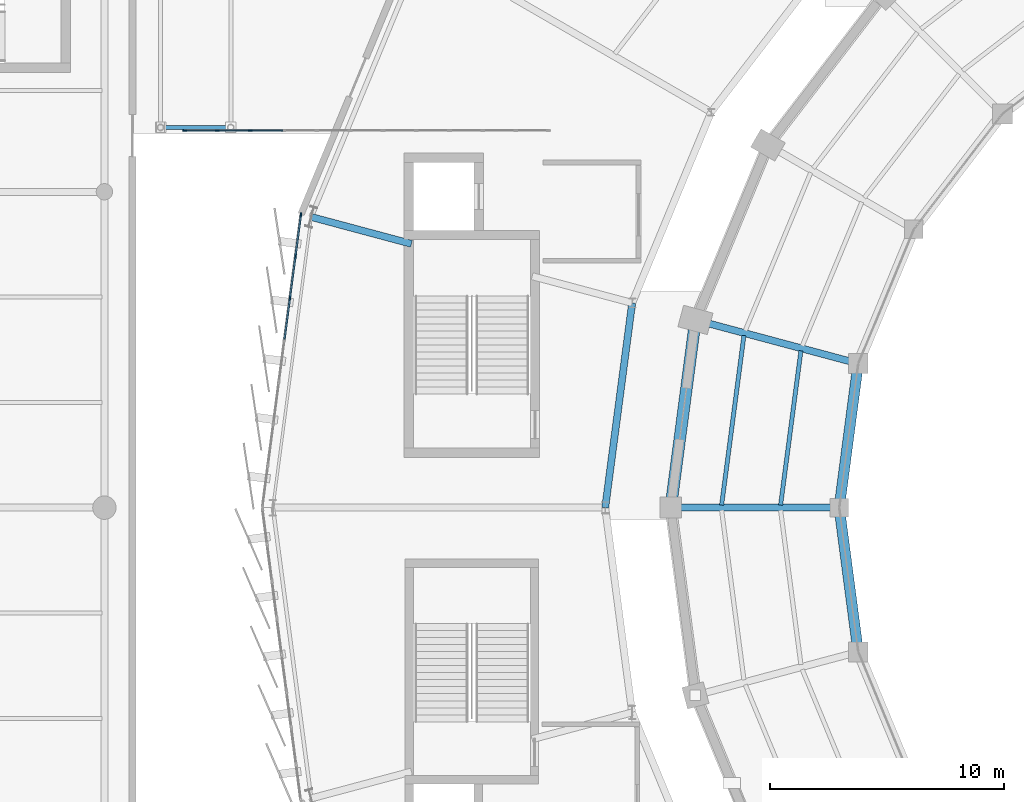
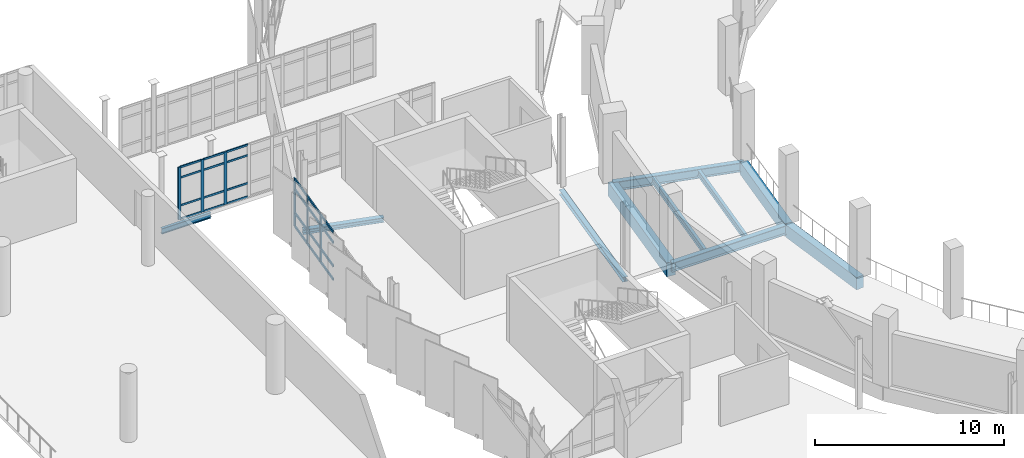
# One storey, part 49 of 125: 30 members, 10 beams, 2 elements without a shape of their own.
"""IFC4 building model written with IfcOpenShell, lengths in metres."""

import ifcopenshell
import ifcopenshell.guid

model = None  # the IFC model being written
_history = None  # IfcOwnerHistory: only IFC2X3 demands one
_inside = {}  # id of a spatial element -> (the spatial element, [elements in it])
_under = {}  # id of a project, library or spatial element -> (it, [spatial elements below it])
_declared = {}  # id of a project -> (the project, [libraries it declares])
_typed = {}  # id of a type object -> (the type object, [elements of that type])
_made_of = {}  # id of a material, layer set ... -> (it, [elements and type objects made of it])


def new_model(schema):
    """Start an empty IFC model of exactly this schema.

    Asked for "IFC4X3", IfcOpenShell would pick the latest addendum, in which some entities
    have other attributes; the version numbers below select the first issue.
    IFC2X3 requires an IfcOwnerHistory on every rooted entity: one is made here for all.
    """
    global model, _history
    if schema == "IFC4X3":
        model = ifcopenshell.file(schema_version=(4, 3, 0, 0))
    else:
        model = ifcopenshell.file(schema=schema)
    _inside.clear()
    _under.clear()
    _declared.clear()
    _typed.clear()
    _made_of.clear()
    _history = None
    if model.schema == "IFC2X3":
        org = make("IfcOrganization", Name="unknown")
        user = make(
            "IfcPersonAndOrganization",
            ThePerson=make("IfcPerson", FamilyName="unknown"),
            TheOrganization=org,
        )
        app = make(
            "IfcApplication",
            ApplicationDeveloper=org,
            Version="unknown",
            ApplicationFullName="unknown",
            ApplicationIdentifier="unknown",
        )
        _history = make(
            "IfcOwnerHistory",
            OwningUser=user,
            OwningApplication=app,
            ChangeAction="ADDED",
            CreationDate=0,
        )
    return model


def make(cls, **values):
    """One entity of the class cls with the attributes given. An attribute that is None is left unset."""
    return model.create_entity(
        cls, **{name: value for name, value in values.items() if value is not None}
    )


def rooted(cls, **values):
    """An entity with a GlobalId (a new one), such as an element, a storey or a relation."""
    return make(cls, GlobalId=ifcopenshell.guid.new(), OwnerHistory=_history, **values)


def si_unit(unit_type, name, prefix=None):
    """IfcSIUnit, for example si_unit("LENGTHUNIT", "METRE", prefix="MILLI")."""
    return make("IfcSIUnit", UnitType=unit_type, Prefix=prefix, Name=name)


def assignment(units):
    """IfcUnitAssignment: the units of a project."""
    return None if units is None else make("IfcUnitAssignment", Units=units)


def point(xyz):
    """IfcCartesianPoint."""
    return None if xyz is None else make("IfcCartesianPoint", Coordinates=xyz)


def direction(xyz):
    """IfcDirection."""
    return None if xyz is None else make("IfcDirection", DirectionRatios=xyz)


def frame(location, z_axis=None, x_axis=None):
    """IfcAxis2Placement3D, a coordinate frame: its origin and axes. An axis left out is left unset."""
    return make(
        "IfcAxis2Placement3D",
        Location=point(location),
        Axis=direction(z_axis),
        RefDirection=direction(x_axis),
    )


def frame_2d(location, x_axis=None):
    """IfcAxis2Placement2D, a coordinate frame in the plane: its origin and x axis."""
    return make(
        "IfcAxis2Placement2D", Location=point(location), RefDirection=direction(x_axis)
    )


def origin():
    """The frame at (0, 0, 0) with its axes left unset."""
    return frame((0.0, 0.0, 0.0))


def origin_2d():
    """The frame at (0, 0) in the plane with its x axis left unset."""
    return frame_2d((0.0, 0.0))


def place(relative_to, where):
    """IfcLocalPlacement: puts the frame where relative to a parent placement (None: the world)."""
    return make(
        "IfcLocalPlacement", PlacementRelTo=relative_to, RelativePlacement=where
    )


def context(
    kind, dimensions, precision=None, world=None, true_north=None, identifier=None
):
    """IfcGeometricRepresentationContext, for example the 3D "Model" context."""
    return make(
        "IfcGeometricRepresentationContext",
        ContextIdentifier=identifier,
        ContextType=kind,
        CoordinateSpaceDimension=dimensions,
        Precision=precision,
        WorldCoordinateSystem=world,
        TrueNorth=true_north,
    )


def subcontext(parent, identifier, kind, view, scale=None):
    """IfcGeometricRepresentationSubContext, for example "Body" below "Model"."""
    return make(
        "IfcGeometricRepresentationSubContext",
        ContextIdentifier=identifier,
        ContextType=kind,
        ParentContext=parent,
        TargetScale=scale,
        TargetView=view,
    )


def project(units=None, contexts=None):
    """IfcProject with its units and contexts."""
    return rooted(
        "IfcProject",
        Name="project",
        RepresentationContexts=contexts,
        UnitsInContext=assignment(units),
    )


def spatial(cls, under=None, at=None, **own):
    """A site, building, storey or space (cls), placed at a placement, below another one or the project."""
    s = rooted(cls, ObjectPlacement=at, **own)
    if under is not None:
        _under.setdefault(under.id(), (under, []))[1].append(s)
    return s


def profile(cls, at=None, kind="AREA", **sizes):
    """A parametric profile (cls). Its sizes go by their IFC names, for example OverallWidth=200.0."""
    return make(cls, ProfileType=kind, Position=at, **sizes)


def rectangle(**sizes):
    """IfcRectangleProfileDef."""
    return profile("IfcRectangleProfileDef", **sizes)


def i_section(**sizes):
    """IfcIShapeProfileDef."""
    return profile("IfcIShapeProfileDef", **sizes)


def extrude(swept, where, along, depth):
    """IfcExtrudedAreaSolid: the profile swept, set in the frame where, extruded along a direction by depth."""
    return make(
        "IfcExtrudedAreaSolid",
        SweptArea=swept,
        Position=where,
        ExtrudedDirection=direction(along),
        Depth=depth,
    )


def shape(context_of_items, identifier, shape_type, items):
    """IfcShapeRepresentation: the items that make up one representation, for example the "Body"."""
    return make(
        "IfcShapeRepresentation",
        ContextOfItems=context_of_items,
        RepresentationIdentifier=identifier,
        RepresentationType=shape_type,
        Items=items,
    )


def material(Name=None, Category=None):
    """IfcMaterial."""
    return make("IfcMaterial", Name=Name, Category=Category)


def layer(
    of_material, thickness, ventilated=None, Name=None, Category=None, Priority=None
):
    """IfcMaterialLayer: one layer of a wall or slab, of a material (None: an air gap)."""
    return make(
        "IfcMaterialLayer",
        Material=of_material,
        LayerThickness=thickness,
        IsVentilated=ventilated,
        Name=Name,
        Category=Category,
        Priority=Priority,
    )


def layer_set(layers, Name=None):
    """IfcMaterialLayerSet."""
    return make("IfcMaterialLayerSet", MaterialLayers=layers, LayerSetName=Name)


def material_profile(
    of_material, cross_section, Name=None, Category=None, Priority=None
):
    """IfcMaterialProfile: a cross section and its material."""
    return make(
        "IfcMaterialProfile",
        Name=Name,
        Material=of_material,
        Profile=cross_section,
        Priority=Priority,
        Category=Category,
    )


def profile_set(profiles, Name=None, composite=None):
    """IfcMaterialProfileSet."""
    return make(
        "IfcMaterialProfileSet",
        Name=Name,
        MaterialProfiles=profiles,
        CompositeProfile=composite,
    )


def made_of(thing, what):
    """Note that an element or type object is made of a material, layer set ...; save() writes the relation."""
    if what is not None:
        _made_of.setdefault(what.id(), (what, []))[1].append(thing)
    return thing


def type_object(cls, material=None, **own):
    """A type object (cls), such as IfcWallType, which elements share."""
    return made_of(rooted(cls, **own), material)


def element(
    cls,
    number,
    at=None,
    inside=None,
    cuts=None,
    type_object=None,
    material=None,
    context=None,
    identifier="Body",
    shape_type=None,
    held_by="IfcProductDefinitionShape",
    body=None,
    shapes=None,
    **own,
):
    """One element of the class cls, such as IfcWall. Its Tag is "e" and its number.

    at: its placement. inside: the storey or other place that contains it. cuts: it is an
    opening in that element (IfcRelVoidsElement). A single representation is given by context,
    identifier, shape_type and body (its items); several are given by shapes. held_by: the class
    of the entity that holds the representations. save() writes the other relations.
    """
    e = rooted(cls, Tag="e%d" % number, ObjectPlacement=at, **own)
    if body is not None:
        shapes = [shape(context, identifier, shape_type, body)]
    if shapes is not None:
        e.Representation = make(held_by, Representations=shapes)
    if inside is not None:
        _inside.setdefault(inside.id(), (inside, []))[1].append(e)
    if cuts is not None:
        rooted(
            "IfcRelVoidsElement", RelatingBuildingElement=cuts, RelatedOpeningElement=e
        )
    if type_object is not None:
        _typed.setdefault(type_object.id(), (type_object, []))[1].append(e)
    return made_of(e, material)


def aggregate(whole, parts):
    """IfcRelAggregates: a whole, such as a stair, and the parts it consists of."""
    return rooted("IfcRelAggregates", RelatingObject=whole, RelatedObjects=parts)


def save(model, path):
    """Write the relations noted so far, then the file.

    IfcRelAggregates (storeys below a building ...), IfcRelContainedInSpatialStructure (elements
    in a storey), IfcRelDefinesByType, IfcRelAssociatesMaterial and IfcRelDeclares: one each for
    every whole, place, type object, material and project.
    """
    for whole, parts in _under.values():
        aggregate(whole, parts)
    for where, things in _inside.values():
        rooted(
            "IfcRelContainedInSpatialStructure",
            RelatedElements=things,
            RelatingStructure=where,
        )
    for kind, things in _typed.values():
        rooted("IfcRelDefinesByType", RelatedObjects=things, RelatingType=kind)
    for what, things in _made_of.values():
        rooted("IfcRelAssociatesMaterial", RelatedObjects=things, RelatingMaterial=what)
    for by, libraries in _declared.values():
        rooted("IfcRelDeclares", RelatingContext=by, RelatedDefinitions=libraries)
    model.write(path)


model = new_model("IFC4")

# Units and contexts
model_context = context("Model", 3, precision=1e-05, world=origin(), true_north=direction((0.0, 1.0)))
body_context = subcontext(model_context, "Body", "Model", "MODEL_VIEW")
ifc_project = project(units=[si_unit("LENGTHUNIT", "METRE"), si_unit("AREAUNIT", "SQUARE_METRE"), si_unit("VOLUMEUNIT", "CUBIC_METRE"), si_unit("PLANEANGLEUNIT", "RADIAN"), si_unit("MASSUNIT", "GRAM", prefix="KILO")], contexts=[model_context])

# Site, building, storey
site_placement = place(None, origin())
site = spatial("IfcSite", under=ifc_project, at=site_placement, CompositionType="ELEMENT")
building_placement = place(site_placement, origin())
building = spatial("IfcBuilding", under=site, at=building_placement, Name="Sohan Crest Arena", CompositionType="ELEMENT")
storey_placement = place(building_placement, frame((0.0, 0.0, 9.0)))
storey = spatial("IfcBuildingStorey", under=building, at=storey_placement, Name="L02", CompositionType="ELEMENT", Elevation=9.0)

# Curtain wall, members
ifc_material_1 = material(Name="Thermally broken anodised aluminium", Category="aluminium")
ifc_layer_1 = layer(ifc_material_1, 0.2099609375, Name="Thermally broken anodised aluminium")
ifc_layer_set_1 = layer_set([ifc_layer_1], Name="Thermally broken anodised aluminium")
curtain_wall_type_1 = type_object("IfcCurtainWallType", Name="ARC-CW06", PredefinedType="NOTDEFINED", material=ifc_layer_set_1)
curtain_wall_1_placement = place(storey_placement, origin())
curtain_wall_1 = element("IfcCurtainWall", 1, at=curtain_wall_1_placement, inside=storey, type_object=curtain_wall_type_1, Name="Unitised curtain wall CW-054", PredefinedType="NOTDEFINED")
ifc_material_profile_1 = material_profile(ifc_material_1, rectangle(XDim=0.06494140625, YDim=0.179931640625, at=origin_2d()), Name="ALU-MULL 65x180")
ifc_profile_set_1 = profile_set([ifc_material_profile_1], Name="Thermally broken anodised aluminium")
member_type_1 = type_object("IfcMemberType", Name="ARC-CW-ML02", PredefinedType="MULLION", material=ifc_profile_set_1)
member_1_placement = place(storey_placement, frame((51.19677734375, 90.5078125, 0.0), z_axis=(0.0, 0.0, 1.0), x_axis=(0.991444066575, -0.130532229177, 0.0)))
member_1 = element("IfcMember", 2, at=member_1_placement, type_object=member_type_1, Name="CW-054 mullion 1", PredefinedType="MULLION", context=body_context, shape_type="SweptSolid", body=[
    extrude(rectangle(XDim=0.06494140625, YDim=0.179931640625, at=origin_2d()), origin(), (0.0, 0.0, 1.0), 3.1201171875),
])
member_2_placement = place(storey_placement, frame((50.965087890625, 88.74853515625, 0.0), z_axis=(0.0, 0.0, 1.0), x_axis=(0.991444066575, -0.130532229177, 0.0)))
member_2 = element("IfcMember", 3, at=member_2_placement, type_object=member_type_1, Name="CW-054 mullion 2", PredefinedType="MULLION", context=body_context, shape_type="SweptSolid", body=[
    extrude(rectangle(XDim=0.06494140625, YDim=0.179931640625, at=origin_2d()), origin(), (0.0, 0.0, 1.0), 3.1201171875),
])
member_3_placement = place(storey_placement, frame((50.729248046875, 86.95703125, 0.0), z_axis=(0.0, 0.0, 1.0), x_axis=(0.991444066575, -0.130532229177, 0.0)))
member_3 = element("IfcMember", 4, at=member_3_placement, type_object=member_type_1, Name="CW-054 mullion 3", PredefinedType="MULLION", context=body_context, shape_type="SweptSolid", body=[
    extrude(rectangle(XDim=0.06494140625, YDim=0.179931640625, at=origin_2d()), origin(), (0.0, 0.0, 1.0), 3.1201171875),
])

ifc_layer_2 = layer(ifc_material_1, 0.18994140625, Name="Thermally broken anodised aluminium")
ifc_layer_set_2 = layer_set([ifc_layer_2], Name="Thermally broken anodised aluminium")
curtain_wall_type_2 = type_object("IfcCurtainWallType", Name="ARC-CW05", PredefinedType="NOTDEFINED", material=ifc_layer_set_2)
curtain_wall_2_placement = place(storey_placement, origin())
curtain_wall_2 = element("IfcCurtainWall", 5, at=curtain_wall_2_placement, inside=storey, type_object=curtain_wall_type_2, Name="Unitised curtain wall CW-235", PredefinedType="NOTDEFINED")
member_4_placement = place(storey_placement, frame((46.232421875, 94.1201171875, 0.0), z_axis=(0.0, 0.0, 1.0), x_axis=(0.0, 1.0, 0.0)))
member_4 = element("IfcMember", 6, at=member_4_placement, type_object=member_type_1, Name="CW-235 mullion 1", PredefinedType="MULLION", context=body_context, shape_type="SweptSolid", body=[
    extrude(rectangle(XDim=0.06494140625, YDim=0.179931640625, at=origin_2d()), origin(), (0.0, 0.0, 1.0), 3.39990234375),
])
member_5_placement = place(storey_placement, frame((47.6181640625, 94.1201171875, 0.0), z_axis=(0.0, 0.0, 1.0), x_axis=(0.0, 1.0, 0.0)))
member_5 = element("IfcMember", 7, at=member_5_placement, type_object=member_type_1, Name="CW-235 mullion 2", PredefinedType="MULLION", context=body_context, shape_type="SweptSolid", body=[
    extrude(rectangle(XDim=0.06494140625, YDim=0.179931640625, at=origin_2d()), origin(), (0.0, 0.0, 1.0), 3.39990234375),
])
member_6_placement = place(storey_placement, frame((49.036376953125, 94.1201171875, 0.0), z_axis=(0.0, 0.0, 1.0), x_axis=(0.0, 1.0, 0.0)))
member_6 = element("IfcMember", 8, at=member_6_placement, type_object=member_type_1, Name="CW-235 mullion 3", PredefinedType="MULLION", context=body_context, shape_type="SweptSolid", body=[
    extrude(rectangle(XDim=0.06494140625, YDim=0.179931640625, at=origin_2d()), origin(), (0.0, 0.0, 1.0), 3.39990234375),
])
ifc_material_profile_2 = material_profile(ifc_material_1, rectangle(XDim=0.06005859375, YDim=0.1201171875, at=origin_2d()), Name="ALU-TRAN 60x120")
ifc_profile_set_2 = profile_set([ifc_material_profile_2], Name="Thermally broken anodised aluminium")
member_type_2 = type_object("IfcMemberType", Name="ARC-CW-TR01", PredefinedType="USERDEFINED", material=ifc_profile_set_2)
member_7_placement = place(storey_placement, frame((46.264892578125, 94.1201171875, 0.030029296875), z_axis=(1.0, 0.0, 0.0), x_axis=(0.0, 1.0, 0.0)))
member_7 = element("IfcMember", 9, at=member_7_placement, type_object=member_type_2, Name="CW-235 transom 1.1", ObjectType="TRANSOM", PredefinedType="USERDEFINED", context=body_context, shape_type="SweptSolid", body=[
    extrude(rectangle(XDim=0.06005859375, YDim=0.1201171875, at=origin_2d()), origin(), (0.0, 0.0, 1.0), 1.32080078125),
])
member_8_placement = place(storey_placement, frame((46.264892578125, 94.1201171875, 0.89990234375), z_axis=(1.0, 0.0, 0.0), x_axis=(0.0, 1.0, 0.0)))
member_8 = element("IfcMember", 10, at=member_8_placement, type_object=member_type_2, Name="CW-235 transom 1.2", ObjectType="TRANSOM", PredefinedType="USERDEFINED", context=body_context, shape_type="SweptSolid", body=[
    extrude(rectangle(XDim=0.06005859375, YDim=0.1201171875, at=origin_2d()), origin(), (0.0, 0.0, 1.0), 1.32080078125),
])
member_9_placement = place(storey_placement, frame((46.264892578125, 94.1201171875, 2.699951171875), z_axis=(1.0, 0.0, 0.0), x_axis=(0.0, 1.0, 0.0)))
member_9 = element("IfcMember", 11, at=member_9_placement, type_object=member_type_2, Name="CW-235 transom 1.3", ObjectType="TRANSOM", PredefinedType="USERDEFINED", context=body_context, shape_type="SweptSolid", body=[
    extrude(rectangle(XDim=0.06005859375, YDim=0.1201171875, at=origin_2d()), origin(), (0.0, 0.0, 1.0), 1.32080078125),
])
member_10_placement = place(storey_placement, frame((46.264892578125, 94.1201171875, 3.3701171875), z_axis=(1.0, 0.0, 0.0), x_axis=(0.0, 1.0, 0.0)))
member_10 = element("IfcMember", 12, at=member_10_placement, type_object=member_type_2, Name="CW-235 transom 1.4", ObjectType="TRANSOM", PredefinedType="USERDEFINED", context=body_context, shape_type="SweptSolid", body=[
    extrude(rectangle(XDim=0.06005859375, YDim=0.1201171875, at=origin_2d()), origin(), (0.0, 0.0, 1.0), 1.32080078125),
])
member_11_placement = place(storey_placement, frame((47.650634765625, 94.1201171875, 0.030029296875), z_axis=(1.0, 0.0, 0.0), x_axis=(0.0, 1.0, 0.0)))
member_11 = element("IfcMember", 13, at=member_11_placement, type_object=member_type_2, Name="CW-235 transom 2.1", ObjectType="TRANSOM", PredefinedType="USERDEFINED", context=body_context, shape_type="SweptSolid", body=[
    extrude(rectangle(XDim=0.06005859375, YDim=0.1201171875, at=origin_2d()), origin(), (0.0, 0.0, 1.0), 1.353271484375),
])
member_12_placement = place(storey_placement, frame((47.650634765625, 94.1201171875, 0.89990234375), z_axis=(1.0, 0.0, 0.0), x_axis=(0.0, 1.0, 0.0)))
member_12 = element("IfcMember", 14, at=member_12_placement, type_object=member_type_2, Name="CW-235 transom 2.2", ObjectType="TRANSOM", PredefinedType="USERDEFINED", context=body_context, shape_type="SweptSolid", body=[
    extrude(rectangle(XDim=0.06005859375, YDim=0.1201171875, at=origin_2d()), origin(), (0.0, 0.0, 1.0), 1.353271484375),
])
member_13_placement = place(storey_placement, frame((47.650634765625, 94.1201171875, 2.699951171875), z_axis=(1.0, 0.0, 0.0), x_axis=(0.0, 1.0, 0.0)))
member_13 = element("IfcMember", 15, at=member_13_placement, type_object=member_type_2, Name="CW-235 transom 2.3", ObjectType="TRANSOM", PredefinedType="USERDEFINED", context=body_context, shape_type="SweptSolid", body=[
    extrude(rectangle(XDim=0.06005859375, YDim=0.1201171875, at=origin_2d()), origin(), (0.0, 0.0, 1.0), 1.353271484375),
])
member_14_placement = place(storey_placement, frame((47.650634765625, 94.1201171875, 3.3701171875), z_axis=(1.0, 0.0, 0.0), x_axis=(0.0, 1.0, 0.0)))
member_14 = element("IfcMember", 16, at=member_14_placement, type_object=member_type_2, Name="CW-235 transom 2.4", ObjectType="TRANSOM", PredefinedType="USERDEFINED", context=body_context, shape_type="SweptSolid", body=[
    extrude(rectangle(XDim=0.06005859375, YDim=0.1201171875, at=origin_2d()), origin(), (0.0, 0.0, 1.0), 1.353271484375),
])
member_15_placement = place(storey_placement, frame((49.06884765625, 94.1201171875, 0.030029296875), z_axis=(1.0, 0.0, 0.0), x_axis=(0.0, 1.0, 0.0)))
member_15 = element("IfcMember", 17, at=member_15_placement, type_object=member_type_2, Name="CW-235 transom 3.1", ObjectType="TRANSOM", PredefinedType="USERDEFINED", context=body_context, shape_type="SweptSolid", body=[
    extrude(rectangle(XDim=0.06005859375, YDim=0.1201171875, at=origin_2d()), origin(), (0.0, 0.0, 1.0), 1.353271484375),
])
member_16_placement = place(storey_placement, frame((49.06884765625, 94.1201171875, 0.89990234375), z_axis=(1.0, 0.0, 0.0), x_axis=(0.0, 1.0, 0.0)))
member_16 = element("IfcMember", 18, at=member_16_placement, type_object=member_type_2, Name="CW-235 transom 3.2", ObjectType="TRANSOM", PredefinedType="USERDEFINED", context=body_context, shape_type="SweptSolid", body=[
    extrude(rectangle(XDim=0.06005859375, YDim=0.1201171875, at=origin_2d()), origin(), (0.0, 0.0, 1.0), 1.353271484375),
])
member_17_placement = place(storey_placement, frame((49.06884765625, 94.1201171875, 2.699951171875), z_axis=(1.0, 0.0, 0.0), x_axis=(0.0, 1.0, 0.0)))
member_17 = element("IfcMember", 19, at=member_17_placement, type_object=member_type_2, Name="CW-235 transom 3.3", ObjectType="TRANSOM", PredefinedType="USERDEFINED", context=body_context, shape_type="SweptSolid", body=[
    extrude(rectangle(XDim=0.06005859375, YDim=0.1201171875, at=origin_2d()), origin(), (0.0, 0.0, 1.0), 1.353271484375),
])
member_18_placement = place(storey_placement, frame((49.06884765625, 94.1201171875, 3.3701171875), z_axis=(1.0, 0.0, 0.0), x_axis=(0.0, 1.0, 0.0)))
member_18 = element("IfcMember", 20, at=member_18_placement, type_object=member_type_2, Name="CW-235 transom 3.4", ObjectType="TRANSOM", PredefinedType="USERDEFINED", context=body_context, shape_type="SweptSolid", body=[
    extrude(rectangle(XDim=0.06005859375, YDim=0.1201171875, at=origin_2d()), origin(), (0.0, 0.0, 1.0), 1.353271484375),
])
aggregate(curtain_wall_2, [member_4, member_5, member_6, member_7, member_8, member_9, member_10, member_11, member_12, member_13, member_14, member_15, member_16, member_17, member_18])

# Member
ifc_material_profile_3 = material_profile(ifc_material_1, rectangle(XDim=0.070068359375, YDim=0.14990234375, at=origin_2d()), Name="ALU-TRAN 70x150")
ifc_profile_set_3 = profile_set([ifc_material_profile_3], Name="Thermally broken anodised aluminium")
member_type_3 = type_object("IfcMemberType", Name="ARC-CW-TR03", PredefinedType="USERDEFINED", material=ifc_profile_set_3)
member_19_placement = place(storey_placement, frame((51.192626953125, 90.4755859375, 0.034912109375), z_axis=(-0.130535789174, -0.991443597864, 0.0), x_axis=(0.991443597864, -0.130535789174, 0.0)))
member_19 = element("IfcMember", 21, at=member_19_placement, type_object=member_type_3, Name="CW-054 transom 1.1", ObjectType="TRANSOM", PredefinedType="USERDEFINED", context=body_context, shape_type="SweptSolid", body=[
    extrude(rectangle(XDim=0.070068359375, YDim=0.14990234375, at=origin_2d()), origin(), (0.0, 0.0, 1.0), 1.70947265625),
])

member_20_placement = place(storey_placement, frame((51.192626953125, 90.4755859375, 0.89990234375), z_axis=(-0.130535789174, -0.991443597864, 0.0), x_axis=(0.991443597864, -0.130535789174, 0.0)))
member_20 = element("IfcMember", 22, at=member_20_placement, type_object=member_type_3, Name="CW-054 transom 1.2", ObjectType="TRANSOM", PredefinedType="USERDEFINED", context=body_context, shape_type="SweptSolid", body=[
    extrude(rectangle(XDim=0.070068359375, YDim=0.14990234375, at=origin_2d()), origin(), (0.0, 0.0, 1.0), 1.70947265625),
])

member_21_placement = place(storey_placement, frame((51.192626953125, 90.4755859375, 2.419921875), z_axis=(-0.130535789174, -0.991443597864, 0.0), x_axis=(0.991443597864, -0.130535789174, 0.0)))
member_21 = element("IfcMember", 23, at=member_21_placement, type_object=member_type_3, Name="CW-054 transom 1.3", ObjectType="TRANSOM", PredefinedType="USERDEFINED", context=body_context, shape_type="SweptSolid", body=[
    extrude(rectangle(XDim=0.070068359375, YDim=0.14990234375, at=origin_2d()), origin(), (0.0, 0.0, 1.0), 1.70947265625),
])

member_22_placement = place(storey_placement, frame((51.192626953125, 90.4755859375, 3.0849609375), z_axis=(-0.130535789174, -0.991443597864, 0.0), x_axis=(0.991443597864, -0.130535789174, 0.0)))
member_22 = element("IfcMember", 24, at=member_22_placement, type_object=member_type_3, Name="CW-054 transom 1.4", ObjectType="TRANSOM", PredefinedType="USERDEFINED", context=body_context, shape_type="SweptSolid", body=[
    extrude(rectangle(XDim=0.070068359375, YDim=0.14990234375, at=origin_2d()), origin(), (0.0, 0.0, 1.0), 1.70947265625),
])

member_23_placement = place(storey_placement, frame((50.9609375, 88.71630859375, 0.034912109375), z_axis=(-0.130483516506, -0.991450478804, 0.0), x_axis=(0.991450478804, -0.130483516506, 0.0)))
member_23 = element("IfcMember", 25, at=member_23_placement, type_object=member_type_3, Name="CW-054 transom 2.1", ObjectType="TRANSOM", PredefinedType="USERDEFINED", context=body_context, shape_type="SweptSolid", body=[
    extrude(rectangle(XDim=0.070068359375, YDim=0.14990234375, at=origin_2d()), origin(), (0.0, 0.0, 1.0), 1.741943359375),
])

member_24_placement = place(storey_placement, frame((50.9609375, 88.71630859375, 0.89990234375), z_axis=(-0.130483516506, -0.991450478804, 0.0), x_axis=(0.991450478804, -0.130483516506, 0.0)))
member_24 = element("IfcMember", 26, at=member_24_placement, type_object=member_type_3, Name="CW-054 transom 2.2", ObjectType="TRANSOM", PredefinedType="USERDEFINED", context=body_context, shape_type="SweptSolid", body=[
    extrude(rectangle(XDim=0.070068359375, YDim=0.14990234375, at=origin_2d()), origin(), (0.0, 0.0, 1.0), 1.741943359375),
])

member_25_placement = place(storey_placement, frame((50.9609375, 88.71630859375, 2.419921875), z_axis=(-0.130483516506, -0.991450478804, 0.0), x_axis=(0.991450478804, -0.130483516506, 0.0)))
member_25 = element("IfcMember", 27, at=member_25_placement, type_object=member_type_3, Name="CW-054 transom 2.3", ObjectType="TRANSOM", PredefinedType="USERDEFINED", context=body_context, shape_type="SweptSolid", body=[
    extrude(rectangle(XDim=0.070068359375, YDim=0.14990234375, at=origin_2d()), origin(), (0.0, 0.0, 1.0), 1.741943359375),
])

member_26_placement = place(storey_placement, frame((50.9609375, 88.71630859375, 3.0849609375), z_axis=(-0.130483516506, -0.991450478804, 0.0), x_axis=(0.991450478804, -0.130483516506, 0.0)))
member_26 = element("IfcMember", 28, at=member_26_placement, type_object=member_type_3, Name="CW-054 transom 2.4", ObjectType="TRANSOM", PredefinedType="USERDEFINED", context=body_context, shape_type="SweptSolid", body=[
    extrude(rectangle(XDim=0.070068359375, YDim=0.14990234375, at=origin_2d()), origin(), (0.0, 0.0, 1.0), 1.741943359375),
])

member_27_placement = place(storey_placement, frame((50.72509765625, 86.9248046875, 0.034912109375), z_axis=(-0.130639433056, -0.991429946356, 0.0), x_axis=(0.991429946356, -0.130639433056, 0.0)))
member_27 = element("IfcMember", 29, at=member_27_placement, type_object=member_type_3, Name="CW-054 transom 3.1", ObjectType="TRANSOM", PredefinedType="USERDEFINED", context=body_context, shape_type="SweptSolid", body=[
    extrude(rectangle(XDim=0.070068359375, YDim=0.14990234375, at=origin_2d()), origin(), (0.0, 0.0, 1.0), 1.74169921875),
])

member_28_placement = place(storey_placement, frame((50.72509765625, 86.9248046875, 0.89990234375), z_axis=(-0.130639433056, -0.991429946356, 0.0), x_axis=(0.991429946356, -0.130639433056, 0.0)))
member_28 = element("IfcMember", 30, at=member_28_placement, type_object=member_type_3, Name="CW-054 transom 3.2", ObjectType="TRANSOM", PredefinedType="USERDEFINED", context=body_context, shape_type="SweptSolid", body=[
    extrude(rectangle(XDim=0.070068359375, YDim=0.14990234375, at=origin_2d()), origin(), (0.0, 0.0, 1.0), 1.74169921875),
])

member_29_placement = place(storey_placement, frame((50.72509765625, 86.9248046875, 2.419921875), z_axis=(-0.130639433056, -0.991429946356, 0.0), x_axis=(0.991429946356, -0.130639433056, 0.0)))
member_29 = element("IfcMember", 31, at=member_29_placement, type_object=member_type_3, Name="CW-054 transom 3.3", ObjectType="TRANSOM", PredefinedType="USERDEFINED", context=body_context, shape_type="SweptSolid", body=[
    extrude(rectangle(XDim=0.070068359375, YDim=0.14990234375, at=origin_2d()), origin(), (0.0, 0.0, 1.0), 1.74169921875),
])

member_30_placement = place(storey_placement, frame((50.72509765625, 86.9248046875, 3.0849609375), z_axis=(-0.130639433056, -0.991429946356, 0.0), x_axis=(0.991429946356, -0.130639433056, 0.0)))
member_30 = element("IfcMember", 32, at=member_30_placement, type_object=member_type_3, Name="CW-054 transom 3.4", ObjectType="TRANSOM", PredefinedType="USERDEFINED", context=body_context, shape_type="SweptSolid", body=[
    extrude(rectangle(XDim=0.070068359375, YDim=0.14990234375, at=origin_2d()), origin(), (0.0, 0.0, 1.0), 1.74169921875),
])

aggregate(curtain_wall_1, [member_1, member_2, member_3, member_19, member_20, member_21, member_22, member_23, member_24, member_25, member_26, member_27, member_28, member_29, member_30])

# Beams
ifc_material_2 = material(Name="Steel S355", Category="steel")
ifc_material_profile_4 = material_profile(ifc_material_2, i_section(OverallWidth=0.169921875, OverallDepth=0.360107421875, WebThickness=0.008056640625, FlangeThickness=0.0126953125, at=origin_2d()), Name="IPE 360")
ifc_profile_set_4 = profile_set([ifc_material_profile_4], Name="Steel S355")
beam_type_1 = type_object("IfcBeamType", Name="STR-BM-B02", PredefinedType="JOIST", material=ifc_profile_set_4)
beam_1_placement = place(storey_placement, frame((45.199951171875, 94.25, -0.455078125), z_axis=(1.0, 0.0, 0.0), x_axis=(0.0, 1.0, 0.0)))
element("IfcBeam", 33, at=beam_1_placement, inside=storey, type_object=beam_type_1, Name="Structural beam BG-L02-2948", PredefinedType="JOIST", context=body_context, shape_type="SweptSolid", body=[
    extrude(i_section(OverallWidth=0.169921875, OverallDepth=0.360107421875, WebThickness=0.008056640625, FlangeThickness=0.0126953125, at=origin_2d()), origin(), (0.0, 0.0, 1.0), 3.0),
])
ifc_material_profile_5 = material_profile(ifc_material_2, i_section(OverallWidth=0.179931640625, OverallDepth=0.39990234375, WebThickness=0.008544921875, FlangeThickness=0.013427734375, at=origin_2d()), Name="IPE 400")
ifc_profile_set_5 = profile_set([ifc_material_profile_5], Name="Steel S355")
beam_type_2 = type_object("IfcBeamType", Name="STR-BM-B03", PredefinedType="JOIST", material=ifc_profile_set_5)
beam_2_placement = place(storey_placement, frame((72.56298828125, 84.702880859375, -0.449951171875), z_axis=(-0.130641570465, -0.99142966471, 0.0), x_axis=(0.99142966471, -0.130641570465, 0.0)))
element("IfcBeam", 34, at=beam_2_placement, inside=storey, type_object=beam_type_2, Name="Structural beam J-L02-0182", PredefinedType="JOIST", context=body_context, shape_type="SweptSolid", body=[
    extrude(i_section(OverallWidth=0.179931640625, OverallDepth=0.39990234375, WebThickness=0.008544921875, FlangeThickness=0.013427734375, at=origin_2d()), origin(), (0.0, 0.0, 1.0), 6.65087890625),
])
beam_3_placement = place(storey_placement, frame((70.1279296875, 85.35498046875, -0.449951171875), z_axis=(-0.13051154339, -0.991446789819, 0.0), x_axis=(0.991446789819, -0.13051154339, 0.0)))
element("IfcBeam", 35, at=beam_3_placement, inside=storey, type_object=beam_type_2, Name="Structural beam J-L02-0183", PredefinedType="JOIST", context=body_context, shape_type="SweptSolid", body=[
    extrude(i_section(OverallWidth=0.179931640625, OverallDepth=0.39990234375, WebThickness=0.008544921875, FlangeThickness=0.013427734375, at=origin_2d()), origin(), (0.0, 0.0, 1.0), 7.30859375),
])
ifc_material_profile_6 = material_profile(ifc_material_2, i_section(OverallWidth=0.300048828125, OverallDepth=0.590087890625, WebThickness=0.012939453125, FlangeThickness=0.02490234375, at=origin_2d()), Name="HEA 600")
ifc_profile_set_6 = profile_set([ifc_material_profile_6], Name="Steel S355")
beam_type_3 = type_object("IfcBeamType", Name="STR-BM-B11", PredefinedType="BEAM", material=ifc_profile_set_6)
beam_4_placement = place(storey_placement, frame((75.010986328125, 84.159912109375, -0.544921875), z_axis=(-0.965945630245, 0.258745124417, 0.0), x_axis=(-0.258745124417, -0.965945630245, 0.0)))
element("IfcBeam", 36, at=beam_4_placement, inside=storey, type_object=beam_type_3, Name="Structural beam G-L02-0181", PredefinedType="BEAM", context=body_context, shape_type="SweptSolid", body=[
    extrude(i_section(OverallWidth=0.300048828125, OverallDepth=0.590087890625, WebThickness=0.012939453125, FlangeThickness=0.02490234375, at=origin_2d()), origin(), (0.0, 0.0, 1.0), 7.2001953125),
])
beam_5_placement = place(storey_placement, frame((74.199951171875, 78.0, -0.544921875), z_axis=(-1.0, 0.0, 0.0), x_axis=(0.0, -1.0, 0.0)))
element("IfcBeam", 37, at=beam_5_placement, inside=storey, type_object=beam_type_3, Name="Structural beam G-L02-0203", PredefinedType="BEAM", context=body_context, shape_type="SweptSolid", body=[
    extrude(i_section(OverallWidth=0.300048828125, OverallDepth=0.590087890625, WebThickness=0.012939453125, FlangeThickness=0.02490234375, at=origin_2d()), origin(), (0.0, 0.0, 1.0), 7.199951171875),
])
ifc_material_profile_7 = material_profile(ifc_material_2, i_section(OverallWidth=0.300048828125, OverallDepth=0.300048828125, WebThickness=0.010986328125, FlangeThickness=0.01904296875, at=origin_2d()), Name="HEB 300")
ifc_profile_set_7 = profile_set([ifc_material_profile_7], Name="Steel S355")
beam_type_4 = type_object("IfcBeamType", Name="STR-BM-B12", PredefinedType="BEAM", material=ifc_profile_set_7)
beam_6_placement = place(storey_placement, frame((55.919921875, 89.27490234375, -0.39990234375), z_axis=(-0.965907995401, 0.258885581716, 0.0), x_axis=(-0.258885581716, -0.965907995401, 0.0)))
element("IfcBeam", 38, at=beam_6_placement, inside=storey, type_object=beam_type_4, Name="Structural beam G-L02-1266", PredefinedType="BEAM", context=body_context, shape_type="SweptSolid", body=[
    extrude(i_section(OverallWidth=0.300048828125, OverallDepth=0.300048828125, WebThickness=0.010986328125, FlangeThickness=0.01904296875, at=origin_2d()), origin(), (0.0, 0.0, 1.0), 4.43505859375),
])
beam_7_placement = place(storey_placement, frame((65.35205078125, 86.748046875, -0.39990234375), z_axis=(-0.130570461953, -0.991439032147, 0.0), x_axis=(0.991439032147, -0.130570461953, 0.0)))
element("IfcBeam", 39, at=beam_7_placement, inside=storey, type_object=beam_type_4, Name="Structural beam G-L02-1267", PredefinedType="BEAM", context=body_context, shape_type="SweptSolid", body=[
    extrude(i_section(OverallWidth=0.300048828125, OverallDepth=0.300048828125, WebThickness=0.010986328125, FlangeThickness=0.01904296875, at=origin_2d()), origin(), (0.0, 0.0, 1.0), 8.823486328125),
])
ifc_material_3 = material(Name="Concrete C40/50", Category="concrete")
ifc_material_profile_8 = material_profile(ifc_material_3, rectangle(XDim=0.449951171875, YDim=0.800048828125, at=origin_2d()), Name="RC-BM 450x800")
ifc_profile_set_8 = profile_set([ifc_material_profile_8], Name="Concrete C40/50")
beam_type_5 = type_object("IfcBeamType", Name="STR-BM-TB02", PredefinedType="BEAM", material=ifc_profile_set_8)
for number, where, z_axis, x_axis, name in (
    (40, (75.010986328125, 84.159912109375, -0.64990234375), (-0.130536846329, -0.991443458676, 0.0), (0.991443458676, -0.130536846329, 0.0), "Structural beam TB-L02-0179"),
    (41, (74.199951171875, 78.0, -0.64990234375), (0.130536846329, -0.991443458676, 0.0), (0.991443458676, 0.130536846329, 0.0), "Structural beam TB-L02-0201"),
):
    element("IfcBeam", number, at=place(storey_placement, frame(where, z_axis=z_axis, x_axis=x_axis)), inside=storey, type_object=beam_type_5, Name=name, PredefinedType="BEAM", context=body_context, shape_type="SweptSolid", body=[
        extrude(rectangle(XDim=0.449951171875, YDim=0.800048828125, at=origin_2d()), origin(), (0.0, 0.0, 1.0), 6.213134765625),
    ])
ifc_material_profile_9 = material_profile(ifc_material_3, rectangle(XDim=0.5, YDim=0.89990234375, at=origin_2d()), Name="RC-BM 500x900")
ifc_profile_set_9 = profile_set([ifc_material_profile_9], Name="Concrete C40/50")
beam_type_6 = type_object("IfcBeamType", Name="STR-BM-TB03", PredefinedType="BEAM", material=ifc_profile_set_9)
beam_8_placement = place(storey_placement, frame((68.055908203125, 86.02294921875, -0.699951171875), z_axis=(-0.130485730048, -0.99145018748, 0.0), x_axis=(0.99145018748, -0.130485730048, 0.0)))
element("IfcBeam", 42, at=beam_8_placement, inside=storey, type_object=beam_type_6, Name="Structural beam TB-L02-0180", PredefinedType="BEAM", context=body_context, shape_type="SweptSolid", body=[
    extrude(rectangle(XDim=0.5, YDim=0.89990234375, at=origin_2d()), origin(), (0.0, 0.0, 1.0), 8.092041015625),
])

save(model, "model.ifc")
